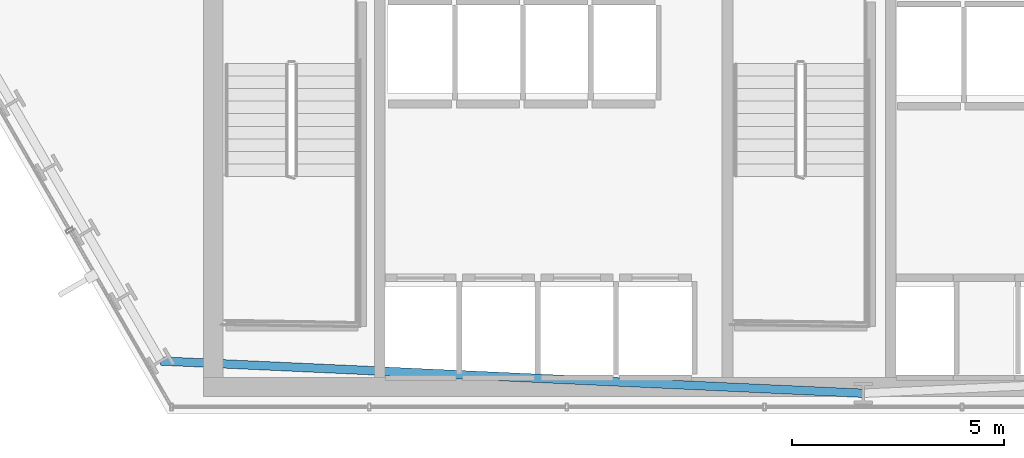
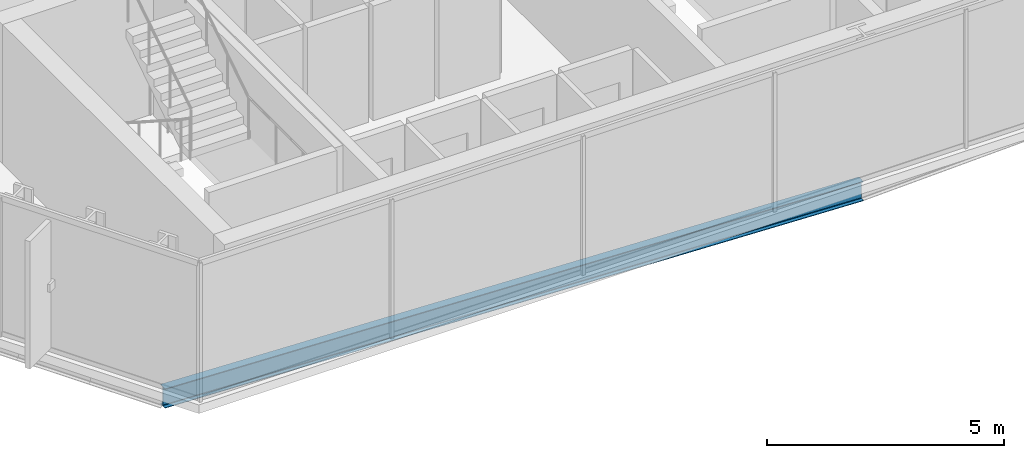
# One storey, part 4 of 33: 1 beam.
"""IFC4 building model written with IfcOpenShell, lengths in metres."""

from ifc_helpers import new_model, si_unit, direction, frame, origin, origin_2d, place, context, subcontext, project, spatial, i_section, extrude, material, material_profile, profile_set, type_object, element, save


model = new_model("IFC4")

# Units and contexts
model_context = context("Model", 3, precision=1e-05, world=origin(), true_north=direction((0.0, 1.0)))
body_context = subcontext(model_context, "Body", "Model", "MODEL_VIEW")
ifc_project = project(units=[si_unit("LENGTHUNIT", "METRE"), si_unit("AREAUNIT", "SQUARE_METRE"), si_unit("VOLUMEUNIT", "CUBIC_METRE"), si_unit("PLANEANGLEUNIT", "RADIAN"), si_unit("MASSUNIT", "GRAM", prefix="KILO")], contexts=[model_context])

# Site, building, storey
site_placement = place(None, origin())
site = spatial("IfcSite", under=ifc_project, at=site_placement, CompositionType="ELEMENT")
building_placement = place(site_placement, origin())
building = spatial("IfcBuilding", under=site, at=building_placement, Name="Ndaravel Arena Tower", CompositionType="ELEMENT")
storey_placement = place(building_placement, frame((0.0, 0.0, 81.60009765625)))
storey = spatial("IfcBuildingStorey", under=building, at=storey_placement, Name="L18", CompositionType="ELEMENT", Elevation=81.60009765625)

# Beam
ifc_material = material(Name="Steel S355", Category="steel")
ifc_material_profile = material_profile(ifc_material, i_section(OverallWidth=0.199951171875, OverallDepth=0.5, WebThickness=0.01025390625, FlangeThickness=0.01611328125, FilletRadius=0.02099609375, at=origin_2d()), Name="IPE 500")
ifc_profile_set = profile_set([ifc_material_profile], Name="Steel S355")
beam_type = type_object("IfcBeamType", Name="BM-SPAN-IPE500", PredefinedType="SPANDREL", material=ifc_profile_set)
beam_placement = place(storey_placement, frame((25.436767578125, 6.240478515625, -0.47021484375), z_axis=(0.998947577789, -0.045866510986, 0.0), x_axis=(0.045866510986, 0.998947577789, 0.0)))
element("IfcBeam", 1, at=beam_placement, inside=storey, type_object=beam_type, Name="L18 Perimeter Spandrel Beam SP-27", PredefinedType="SPANDREL", context=body_context, shape_type="SweptSolid", body=[
    extrude(i_section(OverallWidth=0.199951171875, OverallDepth=0.5, WebThickness=0.01025390625, FlangeThickness=0.01611328125, FilletRadius=0.02099609375, at=origin_2d()), origin(), (0.0, 0.0, 1.0), 16.58056640625),
])

save(model, "model.ifc")
